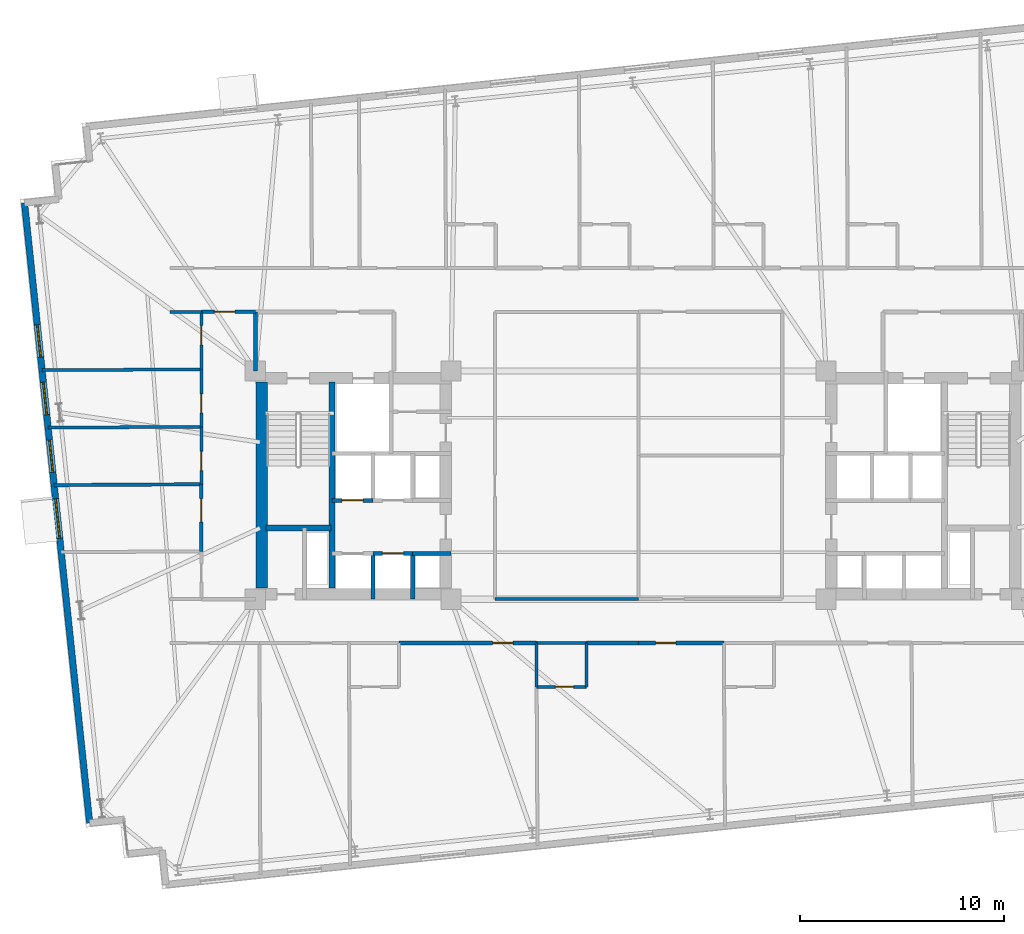
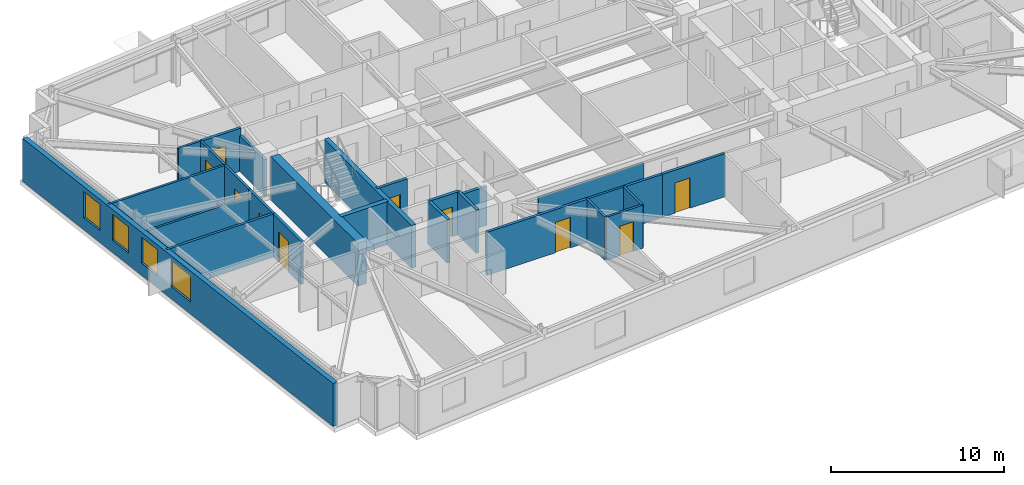
# One storey, part 12 of 19: 27 walls, 10 doors, 4 windows, 14 openings.
"""IFC4 building model written with IfcOpenShell, lengths in metres."""

from ifc_helpers import new_model, si_unit, direction, frame, frame_2d, origin, place, context, subcontext, project, spatial, rectangle, extrude, material, layer, layer_set, type_object, element, fill, save


model = new_model("IFC4")

# Units and contexts
model_context = context("Model", 3, precision=1e-05, world=origin(), true_north=direction((0.0, 1.0)))
body_context = subcontext(model_context, "Body", "Model", "MODEL_VIEW")
ifc_project = project(units=[si_unit("LENGTHUNIT", "METRE"), si_unit("AREAUNIT", "SQUARE_METRE"), si_unit("VOLUMEUNIT", "CUBIC_METRE"), si_unit("PLANEANGLEUNIT", "RADIAN"), si_unit("MASSUNIT", "GRAM", prefix="KILO")], contexts=[model_context])

# Site, building, storey
site_placement = place(None, origin())
site = spatial("IfcSite", under=ifc_project, at=site_placement, CompositionType="ELEMENT")
building_placement = place(site_placement, origin())
building = spatial("IfcBuilding", under=site, at=building_placement, Name="Qobustan Lattice House", CompositionType="ELEMENT")
storey_placement = place(building_placement, frame((0.0, 0.0, 85.699951171875)))
storey = spatial("IfcBuildingStorey", under=building, at=storey_placement, Name="L23", CompositionType="ELEMENT", Elevation=85.699951171875)

# Walls
ifc_material_1 = material(Name="Concrete C60/75", Category="concrete")
ifc_layer_1 = layer(ifc_material_1, 0.56005859375)
ifc_layer_set_1 = layer_set([ifc_layer_1], Name="Concrete C60/75")
wall_type_1 = type_object("IfcWallType", Name="WAL-CORE-600", PredefinedType="SHEAR", material=ifc_layer_set_1)
wall_1_placement = place(storey_placement, frame((-18.489990234375, -5.050048828125, 0.0), z_axis=(0.0, 0.0, 1.0), x_axis=(0.0, 1.0, 0.0)))
element("IfcWall", 1, at=wall_1_placement, inside=storey, type_object=wall_type_1, Name="L23 split-core shear wall CW-W", PredefinedType="SHEAR", context=body_context, shape_type="SweptSolid", body=[
    extrude(rectangle(XDim=10.10009765625, YDim=0.56005859375, at=frame_2d((5.050048828125, 0.0))), origin(), (0.0, 0.0, 1.0), 3.045166015625),
])
ifc_material_2 = material(Name="Concrete C50/60", Category="concrete")
ifc_layer_2 = layer(ifc_material_2, 0.280029296875)
ifc_layer_set_2 = layer_set([ifc_layer_2], Name="Concrete C50/60")
wall_type_2 = type_object("IfcWallType", Name="WAL-CORE-SPINE-280", PredefinedType="SHEAR", material=ifc_layer_set_2)
wall_2_placement = place(storey_placement, frame((-15.050048828125, -5.050048828125, 0.0), z_axis=(0.0, 0.0, 1.0), x_axis=(0.0, 1.0, 0.0)))
element("IfcWall", 2, at=wall_2_placement, inside=storey, type_object=wall_type_2, Name="L23 split-core shear wall CW-M", PredefinedType="SHEAR", context=body_context, shape_type="SweptSolid", body=[
    extrude(rectangle(XDim=10.10009765625, YDim=0.300048828125, at=frame_2d((5.050048828125, 0.0))), origin(), (0.0, 0.0, 1.0), 3.045166015625),
])
wall_3_placement = place(storey_placement, frame((-18.280029296875, -2.110107421875, 0.0), z_axis=(0.0, 0.0, 1.0), x_axis=(1.0, 0.0, 0.0)))
element("IfcWall", 3, at=wall_3_placement, inside=storey, type_object=wall_type_2, Name="L23 split-core shear wall CW-ST", PredefinedType="SHEAR", context=body_context, shape_type="SweptSolid", body=[
    extrude(rectangle(XDim=3.179931640625, YDim=0.300048828125, at=frame_2d((1.58984375, 0.0))), origin(), (0.0, 0.0, 1.0), 3.045166015625),
])

# Wall, openings, windows
ifc_material_3 = material(Name="Precast concrete C40/50", Category="concrete")
ifc_layer_3 = layer(ifc_material_3, 0.320068359375)
ifc_layer_set_3 = layer_set([ifc_layer_3], Name="Precast concrete C40/50")
wall_type_3 = type_object("IfcWallType", Name="WAL-EXT-STONE-320", PredefinedType="SOLIDWALL", material=ifc_layer_set_3)
wall_4_placement = place(storey_placement, frame((-26.934814453125, -16.58349609375, 0.0), z_axis=(0.0, 0.0, 1.0), x_axis=(-0.104524887486, 0.994522271192, 0.0)))
wall_4 = element("IfcWall", 4, at=wall_4_placement, inside=storey, type_object=wall_type_3, Name="L23 exterior limestone-clad wall 5", PredefinedType="SOLIDWALL", context=body_context, shape_type="SweptSolid", body=[
    extrude(rectangle(XDim=30.600341796875, YDim=0.320068359375, at=frame_2d((15.30029296875, 0.0))), origin(), (0.0, 0.0, 1.0), 3.045166015625),
])
opening_1_placement = place(wall_4_placement, frame((14.044677734375, 0.0, 0.85009765625)))
opening_1 = element("IfcOpeningElement", 5, at=opening_1_placement, cuts=wall_4, Name="Opening WN-08", PredefinedType="OPENING", context=body_context, shape_type="SweptSolid", body=[
    extrude(rectangle(XDim=1.949951171875, YDim=1.85009765625, at=frame_2d((0.97509765625, 0.925048828125))), frame((0.0, 0.169921875, 0.0), z_axis=(0.0, -1.0, 0.0), x_axis=(1.0, 0.0, 0.0)), (0.0, 0.0, 1.0), 0.340087890625),
])
opening_2_placement = place(wall_4_placement, frame((17.3037109375, 0.0, 0.85009765625)))
opening_2 = element("IfcOpeningElement", 6, at=opening_2_placement, cuts=wall_4, Name="Opening WN-13", PredefinedType="OPENING", context=body_context, shape_type="SweptSolid", body=[
    extrude(rectangle(XDim=1.60009765625, YDim=1.85009765625, at=frame_2d((0.800048828125, 0.925048828125))), frame((0.0, 0.169921875, 0.0), z_axis=(0.0, -1.0, 0.0), x_axis=(1.0, 0.0, 0.0)), (0.0, 0.0, 1.0), 0.340087890625),
])
opening_3_placement = place(wall_4_placement, frame((20.1474609375, 0.0, 0.85009765625)))
opening_3 = element("IfcOpeningElement", 7, at=opening_3_placement, cuts=wall_4, Name="Opening WN-13", PredefinedType="OPENING", context=body_context, shape_type="SweptSolid", body=[
    extrude(rectangle(XDim=1.60009765625, YDim=1.85009765625, at=frame_2d((0.800048828125, 0.925048828125))), frame((0.0, 0.169921875, 0.0), z_axis=(0.0, -1.0, 0.0), x_axis=(1.0, 0.0, 0.0)), (0.0, 0.0, 1.0), 0.340087890625),
])
opening_4_placement = place(wall_4_placement, frame((22.9912109375, 0.0, 0.85009765625)))
opening_4 = element("IfcOpeningElement", 8, at=opening_4_placement, cuts=wall_4, Name="Opening WN-13", PredefinedType="OPENING", context=body_context, shape_type="SweptSolid", body=[
    extrude(rectangle(XDim=1.60009765625, YDim=1.85009765625, at=frame_2d((0.800048828125, 0.925048828125))), frame((0.0, 0.169921875, 0.0), z_axis=(0.0, -1.0, 0.0), x_axis=(1.0, 0.0, 0.0)), (0.0, 0.0, 1.0), 0.340087890625),
])
ifc_material_4 = material(Name="Double-glazed low-E aluminium window", Category="aluminium")
window_type_1 = type_object("IfcWindowType", Name="WIN-BED-1600x1850", PartitioningType="SINGLE_PANEL", PredefinedType="WINDOW", material=ifc_material_4)
window_1_placement = place(opening_2_placement, origin())
window_1 = element("IfcWindow", 9, at=window_1_placement, inside=storey, type_object=window_type_1, Name="L23 Cluster bedroom L23W1 window", OverallHeight=1.85009765625, OverallWidth=1.60009765625, PartitioningType="SINGLE_PANEL", PredefinedType="WINDOW", context=body_context, shape_type="SweptSolid", body=[
    extrude(rectangle(XDim=1.60009765625, YDim=1.85009765625, at=frame_2d((0.800048828125, 0.925048828125))), frame((0.0, 0.030029296875, 0.0), z_axis=(0.0, -1.0, 0.0), x_axis=(1.0, 0.0, 0.0)), (0.0, 0.0, 1.0), 0.06005859375),
])
fill(opening_2, window_1)
window_2_placement = place(opening_3_placement, origin())
window_2 = element("IfcWindow", 10, at=window_2_placement, inside=storey, type_object=window_type_1, Name="L23 Cluster bedroom L23W2 window", OverallHeight=1.85009765625, OverallWidth=1.60009765625, PartitioningType="SINGLE_PANEL", PredefinedType="WINDOW", context=body_context, shape_type="SweptSolid", body=[
    extrude(rectangle(XDim=1.60009765625, YDim=1.85009765625, at=frame_2d((0.800048828125, 0.925048828125))), frame((0.0, 0.030029296875, 0.0), z_axis=(0.0, -1.0, 0.0), x_axis=(1.0, 0.0, 0.0)), (0.0, 0.0, 1.0), 0.06005859375),
])
fill(opening_3, window_2)
window_3_placement = place(opening_4_placement, origin())
window_3 = element("IfcWindow", 11, at=window_3_placement, inside=storey, type_object=window_type_1, Name="L23 Cluster bedroom L23W3 window", OverallHeight=1.85009765625, OverallWidth=1.60009765625, PartitioningType="SINGLE_PANEL", PredefinedType="WINDOW", context=body_context, shape_type="SweptSolid", body=[
    extrude(rectangle(XDim=1.60009765625, YDim=1.85009765625, at=frame_2d((0.800048828125, 0.925048828125))), frame((0.0, 0.030029296875, 0.0), z_axis=(0.0, -1.0, 0.0), x_axis=(1.0, 0.0, 0.0)), (0.0, 0.0, 1.0), 0.06005859375),
])
fill(opening_4, window_3)
ifc_material_5 = material(Name="Double-glazed low-E aluminium window", Category="aluminium")
window_type_2 = type_object("IfcWindowType", Name="WIN-KIT-1950x1850", PartitioningType="SINGLE_PANEL", PredefinedType="WINDOW", material=ifc_material_5)
window_4_placement = place(opening_1_placement, origin())
window_4 = element("IfcWindow", 12, at=window_4_placement, inside=storey, type_object=window_type_2, Name="L23 Shared kitchen L23W window", OverallHeight=1.85009765625, OverallWidth=1.949951171875, PartitioningType="SINGLE_PANEL", PredefinedType="WINDOW", context=body_context, shape_type="SweptSolid", body=[
    extrude(rectangle(XDim=1.949951171875, YDim=1.85009765625, at=frame_2d((0.97509765625, 0.925048828125))), frame((0.0, 0.030029296875, 0.0), z_axis=(0.0, -1.0, 0.0), x_axis=(1.0, 0.0, 0.0)), (0.0, 0.0, 1.0), 0.06005859375),
])
fill(opening_1, window_4)

# Wall, opening, door
ifc_material_6 = material(Name="Gypsum fireboard acoustic partition", Category="gypsum")
ifc_layer_4 = layer(ifc_material_6, 0.179931640625)
ifc_layer_set_4 = layer_set([ifc_layer_4], Name="Gypsum fireboard acoustic partition")
wall_type_4 = type_object("IfcWallType", Name="WAL-FIRE-180", PredefinedType="PARTITIONING", material=ifc_layer_set_4)
wall_5_placement = place(storey_placement, frame((-18.800048828125, 8.5, 0.0), z_axis=(0.0, 0.0, 1.0), x_axis=(-1.0, 0.0, 0.0)))
wall_5 = element("IfcWall", 13, at=wall_5_placement, inside=storey, type_object=wall_type_4, Name="L23 interior partition 37", PredefinedType="PARTITIONING", context=body_context, shape_type="SweptSolid", body=[
    extrude(rectangle(XDim=2.64990234375, YDim=0.179931640625, at=frame_2d((1.324951171875, 0.0))), origin(), (0.0, 0.0, 1.0), 3.045166015625),
])
opening_5_placement = place(wall_5_placement, frame((1.0087890625, 0.0, 0.0)))
opening_5 = element("IfcOpeningElement", 14, at=opening_5_placement, cuts=wall_5, Name="Opening FD-02", PredefinedType="OPENING", context=body_context, shape_type="SweptSolid", body=[
    extrude(rectangle(XDim=1.0, YDim=2.14990234375, at=frame_2d((0.5, 1.074951171875))), frame((0.0, 0.099853515625, 0.0), z_axis=(0.0, -1.0, 0.0), x_axis=(1.0, 0.0, 0.0)), (0.0, 0.0, 1.0), 0.199951171875),
])
ifc_material_7 = material(Name="Persian walnut timber and steel frame door", Category="steel")
door_type_1 = type_object("IfcDoorType", Name="DOR-UNIT-FD-1000x2150", OperationType="NOTDEFINED", PredefinedType="DOOR", material=ifc_material_7)
door_1_placement = place(opening_5_placement, origin())
door_1 = element("IfcDoor", 15, at=door_1_placement, inside=storey, type_object=door_type_1, Name="L23 North-west floor corridor to Residence entrance hall L23W door", OperationType="SINGLE_SWING_RIGHT", OverallHeight=2.14990234375, OverallWidth=1.0, PredefinedType="DOOR", context=body_context, shape_type="SweptSolid", body=[
    extrude(rectangle(XDim=1.0, YDim=2.14990234375, at=frame_2d((0.5, 1.074951171875))), frame((0.0, 0.02490234375, 0.0), z_axis=(0.0, -1.0, 0.0), x_axis=(1.0, 0.0, 0.0)), (0.0, 0.0, 1.0), 0.050048828125),
])
fill(opening_5, door_1)

wall_6_placement = place(storey_placement, frame((-5.0, -7.75, 0.0), z_axis=(0.0, 0.0, 1.0), x_axis=(-1.0, 0.0, 0.0)))
wall_6 = element("IfcWall", 16, at=wall_6_placement, inside=storey, type_object=wall_type_4, Name="L23 interior partition 60", PredefinedType="PARTITIONING", context=body_context, shape_type="SweptSolid", body=[
    extrude(rectangle(XDim=6.75, YDim=0.179931640625, at=frame_2d((3.375, 0.0))), origin(), (0.0, 0.0, 1.0), 3.045166015625),
])
opening_6_placement = place(wall_6_placement, frame((1.15380859375, 0.0, 0.0)))
opening_6 = element("IfcOpeningElement", 17, at=opening_6_placement, cuts=wall_6, Name="Opening FD-02", PredefinedType="OPENING", context=body_context, shape_type="SweptSolid", body=[
    extrude(rectangle(XDim=1.0, YDim=2.14990234375, at=frame_2d((0.5, 1.074951171875))), frame((0.0, 0.099853515625, 0.0), z_axis=(0.0, -1.0, 0.0), x_axis=(1.0, 0.0, 0.0)), (0.0, 0.0, 1.0), 0.199951171875),
])
door_2_placement = place(opening_6_placement, origin())
door_2 = element("IfcDoor", 18, at=door_2_placement, inside=storey, type_object=door_type_1, Name="L23 South-west floor corridor to Kitchenette and studio apartment L23-S2 door", OperationType="SINGLE_SWING_LEFT", OverallHeight=2.14990234375, OverallWidth=1.0, PredefinedType="DOOR", context=body_context, shape_type="SweptSolid", body=[
    extrude(rectangle(XDim=1.0, YDim=2.14990234375, at=frame_2d((0.5, 1.074951171875))), frame((0.0, 0.02490234375, 0.0), z_axis=(0.0, -1.0, 0.0), x_axis=(1.0, 0.0, 0.0)), (0.0, 0.0, 1.0), 0.050048828125),
])
fill(opening_6, door_2)

# Wall
wall_7_placement = place(storey_placement, frame((0.0, -7.75, 0.0), z_axis=(0.0, 0.0, 1.0), x_axis=(-1.0, 0.0, 0.0)))
element("IfcWall", 19, at=wall_7_placement, inside=storey, type_object=wall_type_4, Name="L23 interior partition 62", PredefinedType="PARTITIONING", context=body_context, shape_type="SweptSolid", body=[
    extrude(rectangle(XDim=2.550048828125, YDim=0.179931640625, at=frame_2d((1.27490234375, 0.0))), origin(), (0.0, 0.0, 1.0), 3.045166015625),
])

# Wall, opening, door
wall_8_placement = place(storey_placement, frame((4.199951171875, -7.75, 0.0), z_axis=(0.0, 0.0, 1.0), x_axis=(-1.0, 0.0, 0.0)))
wall_8 = element("IfcWall", 20, at=wall_8_placement, inside=storey, type_object=wall_type_4, Name="L23 interior partition 67", PredefinedType="PARTITIONING", context=body_context, shape_type="SweptSolid", body=[
    extrude(rectangle(XDim=4.199951171875, YDim=0.179931640625, at=frame_2d((2.10009765625, 0.0))), origin(), (0.0, 0.0, 1.0), 3.045166015625),
])
opening_7_placement = place(wall_8_placement, frame((2.364990234375, 0.0, 0.0)))
opening_7 = element("IfcOpeningElement", 21, at=opening_7_placement, cuts=wall_8, Name="Opening FD-02", PredefinedType="OPENING", context=body_context, shape_type="SweptSolid", body=[
    extrude(rectangle(XDim=1.0, YDim=2.14990234375, at=frame_2d((0.5, 1.074951171875))), frame((0.0, 0.099853515625, 0.0), z_axis=(0.0, -1.0, 0.0), x_axis=(1.0, 0.0, 0.0)), (0.0, 0.0, 1.0), 0.199951171875),
])
door_3_placement = place(opening_7_placement, origin())
door_3 = element("IfcDoor", 22, at=door_3_placement, inside=storey, type_object=door_type_1, Name="L23 South-east floor corridor to Kitchenette and studio apartment L23-S3 door", OperationType="SINGLE_SWING_RIGHT", OverallHeight=2.14990234375, OverallWidth=1.0, PredefinedType="DOOR", context=body_context, shape_type="SweptSolid", body=[
    extrude(rectangle(XDim=1.0, YDim=2.14990234375, at=frame_2d((0.5, 1.074951171875))), frame((0.0, 0.02490234375, 0.0), z_axis=(0.0, -1.0, 0.0), x_axis=(1.0, 0.0, 0.0)), (0.0, 0.0, 1.0), 0.050048828125),
])
fill(opening_7, door_3)

# Walls
ifc_material_8 = material(Name="Acoustic twin-stud gypsum partition", Category="gypsum")
ifc_layer_5 = layer(ifc_material_8, 0.14990234375)
ifc_layer_set_5 = layer_set([ifc_layer_5], Name="Acoustic twin-stud gypsum partition")
wall_type_5 = type_object("IfcWallType", Name="WAL-PART-150", PredefinedType="PARTITIONING", material=ifc_layer_set_5)
wall_9_placement = place(storey_placement, frame((-21.449951171875, 8.5, 0.0), z_axis=(0.0, 0.0, 1.0), x_axis=(-1.0, 0.0, 0.0)))
element("IfcWall", 23, at=wall_9_placement, inside=storey, type_object=wall_type_5, Name="L23 interior partition 38", PredefinedType="PARTITIONING", context=body_context, shape_type="SweptSolid", body=[
    extrude(rectangle(XDim=1.550048828125, YDim=0.14990234375, at=frame_2d((0.77490234375, 0.0))), origin(), (0.0, 0.0, 1.0), 3.045166015625),
])
wall_10_placement = place(storey_placement, frame((-7.050048828125, -5.60009765625, 0.0), z_axis=(0.0, 0.0, 1.0), x_axis=(1.0, 0.0, 0.0)))
element("IfcWall", 24, at=wall_10_placement, inside=storey, type_object=wall_type_5, Name="L23 interior partition 64", PredefinedType="PARTITIONING", context=body_context, shape_type="SweptSolid", body=[
    extrude(rectangle(XDim=7.050048828125, YDim=0.14990234375, at=frame_2d((3.52490234375, 0.0))), origin(), (0.0, 0.0, 1.0), 2.530029296875),
])

# Wall, opening, door
wall_11_placement = place(storey_placement, frame((-21.449951171875, 0.0400390625, 0.0), z_axis=(0.0, 0.0, 1.0), x_axis=(0.0, 1.0, 0.0)))
wall_11 = element("IfcWall", 25, at=wall_11_placement, inside=storey, type_object=wall_type_5, Name="L23 interior partition 77", PredefinedType="PARTITIONING", context=body_context, shape_type="SweptSolid", body=[
    extrude(rectangle(XDim=2.820068359375, YDim=0.14990234375, at=frame_2d((1.41015625, 0.0))), origin(), (0.0, 0.0, 1.0), 3.045166015625),
])
opening_8_placement = place(wall_11_placement, frame((0.668701171875, 0.0, 0.0)))
opening_8 = element("IfcOpeningElement", 26, at=opening_8_placement, cuts=wall_11, Name="Opening ID-01", PredefinedType="OPENING", context=body_context, shape_type="SweptSolid", body=[
    extrude(rectangle(XDim=0.949951171875, YDim=2.10009765625, at=frame_2d((0.47509765625, 1.050048828125))), frame((0.0, 0.0849609375, 0.0), z_axis=(0.0, -1.0, 0.0), x_axis=(1.0, 0.0, 0.0)), (0.0, 0.0, 1.0), 0.169921875),
])
ifc_material_9 = material(Name="Persian walnut timber and steel frame door", Category="steel")
door_type_2 = type_object("IfcDoorType", Name="DOR-ROOM-950x2100", OperationType="NOTDEFINED", PredefinedType="DOOR", material=ifc_material_9)
door_4_placement = place(opening_8_placement, origin())
door_4 = element("IfcDoor", 27, at=door_4_placement, inside=storey, type_object=door_type_2, Name="L23 Residence entrance hall L23W to Cluster bedroom L23W1 door", OperationType="SINGLE_SWING_LEFT", OverallHeight=2.10009765625, OverallWidth=0.949951171875, PredefinedType="DOOR", context=body_context, shape_type="SweptSolid", body=[
    extrude(rectangle(XDim=0.949951171875, YDim=2.10009765625, at=frame_2d((0.47509765625, 1.050048828125))), frame((0.0, 0.02490234375, 0.0), z_axis=(0.0, -1.0, 0.0), x_axis=(1.0, 0.0, 0.0)), (0.0, 0.0, 1.0), 0.050048828125),
])
fill(opening_8, door_4)

wall_12_placement = place(storey_placement, frame((-21.449951171875, 2.860107421875, 0.0), z_axis=(0.0, 0.0, 1.0), x_axis=(0.0, 1.0, 0.0)))
wall_12 = element("IfcWall", 28, at=wall_12_placement, inside=storey, type_object=wall_type_5, Name="L23 interior partition 78", PredefinedType="PARTITIONING", context=body_context, shape_type="SweptSolid", body=[
    extrude(rectangle(XDim=2.81982421875, YDim=0.14990234375, at=frame_2d((1.409912109375, 0.0))), origin(), (0.0, 0.0, 1.0), 3.045166015625),
])
opening_9_placement = place(wall_12_placement, frame((0.668701171875, 0.0, 0.0)))
opening_9 = element("IfcOpeningElement", 29, at=opening_9_placement, cuts=wall_12, Name="Opening ID-01", PredefinedType="OPENING", context=body_context, shape_type="SweptSolid", body=[
    extrude(rectangle(XDim=0.949951171875, YDim=2.10009765625, at=frame_2d((0.47509765625, 1.050048828125))), frame((0.0, 0.0849609375, 0.0), z_axis=(0.0, -1.0, 0.0), x_axis=(1.0, 0.0, 0.0)), (0.0, 0.0, 1.0), 0.169921875),
])
door_5_placement = place(opening_9_placement, origin())
door_5 = element("IfcDoor", 30, at=door_5_placement, inside=storey, type_object=door_type_2, Name="L23 Residence entrance hall L23W to Cluster bedroom L23W2 door", OperationType="SINGLE_SWING_RIGHT", OverallHeight=2.10009765625, OverallWidth=0.949951171875, PredefinedType="DOOR", context=body_context, shape_type="SweptSolid", body=[
    extrude(rectangle(XDim=0.949951171875, YDim=2.10009765625, at=frame_2d((0.47509765625, 1.050048828125))), frame((0.0, 0.02490234375, 0.0), z_axis=(0.0, -1.0, 0.0), x_axis=(1.0, 0.0, 0.0)), (0.0, 0.0, 1.0), 0.050048828125),
])
fill(opening_9, door_5)

wall_13_placement = place(storey_placement, frame((-21.449951171875, 5.679931640625, 0.0), z_axis=(0.0, 0.0, 1.0), x_axis=(0.0, 1.0, 0.0)))
wall_13 = element("IfcWall", 31, at=wall_13_placement, inside=storey, type_object=wall_type_5, Name="L23 interior partition 79", PredefinedType="PARTITIONING", context=body_context, shape_type="SweptSolid", body=[
    extrude(rectangle(XDim=2.820068359375, YDim=0.14990234375, at=frame_2d((1.41015625, 0.0))), origin(), (0.0, 0.0, 1.0), 3.045166015625),
])
opening_10_placement = place(wall_13_placement, frame((1.201171875, 0.0, 0.0)))
opening_10 = element("IfcOpeningElement", 32, at=opening_10_placement, cuts=wall_13, Name="Opening ID-01", PredefinedType="OPENING", context=body_context, shape_type="SweptSolid", body=[
    extrude(rectangle(XDim=0.949951171875, YDim=2.10009765625, at=frame_2d((0.47509765625, 1.050048828125))), frame((0.0, 0.0849609375, 0.0), z_axis=(0.0, -1.0, 0.0), x_axis=(1.0, 0.0, 0.0)), (0.0, 0.0, 1.0), 0.169921875),
])
door_6_placement = place(opening_10_placement, origin())
door_6 = element("IfcDoor", 33, at=door_6_placement, inside=storey, type_object=door_type_2, Name="L23 Residence entrance hall L23W to Cluster bedroom L23W3 door", OperationType="SINGLE_SWING_LEFT", OverallHeight=2.10009765625, OverallWidth=0.949951171875, PredefinedType="DOOR", context=body_context, shape_type="SweptSolid", body=[
    extrude(rectangle(XDim=0.949951171875, YDim=2.10009765625, at=frame_2d((0.47509765625, 1.050048828125))), frame((0.0, 0.02490234375, 0.0), z_axis=(0.0, -1.0, 0.0), x_axis=(1.0, 0.0, 0.0)), (0.0, 0.0, 1.0), 0.050048828125),
])
fill(opening_10, door_6)

# Walls
wall_14_placement = place(storey_placement, frame((-28.9736328125, 2.816162109375, 0.0), z_axis=(0.0, 0.0, 1.0), x_axis=(0.999982942193, 0.00584083232, 0.0)))
element("IfcWall", 34, at=wall_14_placement, inside=storey, type_object=wall_type_5, Name="L23 interior partition 82", PredefinedType="PARTITIONING", context=body_context, shape_type="SweptSolid", body=[
    extrude(rectangle(XDim=7.52392578125, YDim=0.14990234375, at=frame_2d((3.761962890625, 0.0))), origin(), (0.0, 0.0, 1.0), 2.530029296875),
])
wall_15_placement = place(storey_placement, frame((-29.27001953125, 5.635986328125, 0.0), z_axis=(0.0, 0.0, 1.0), x_axis=(0.999984210669, 0.005619467326, 0.0)))
element("IfcWall", 35, at=wall_15_placement, inside=storey, type_object=wall_type_5, Name="L23 interior partition 83", PredefinedType="PARTITIONING", context=body_context, shape_type="SweptSolid", body=[
    extrude(rectangle(XDim=7.8203125, YDim=0.14990234375, at=frame_2d((3.91015625, 0.0))), origin(), (0.0, 0.0, 1.0), 3.045166015625),
])

# Wall, opening, door
ifc_material_10 = material(Name="High-mass acoustic twin-stud partition", Category="gypsum")
ifc_layer_6 = layer(ifc_material_10, 0.1650390625)
ifc_layer_set_6 = layer_set([ifc_layer_6], Name="High-mass acoustic twin-stud partition")
wall_type_6 = type_object("IfcWallType", Name="WAL-PART-165", PredefinedType="PARTITIONING", material=ifc_layer_set_6)
wall_16_placement = place(storey_placement, frame((-21.449951171875, -3.25, 0.0), z_axis=(0.0, 0.0, 1.0), x_axis=(0.0, 1.0, 0.0)))
wall_16 = element("IfcWall", 36, at=wall_16_placement, inside=storey, type_object=wall_type_6, Name="L23 interior partition 76", PredefinedType="PARTITIONING", context=body_context, shape_type="SweptSolid", body=[
    extrude(rectangle(XDim=3.2900390625, YDim=0.1650390625, at=frame_2d((1.64501953125, 0.0))), origin(), (0.0, 0.0, 1.0), 3.045166015625),
])
opening_11_placement = place(wall_16_placement, frame((1.4375, 0.0, 0.0)))
opening_11 = element("IfcOpeningElement", 37, at=opening_11_placement, cuts=wall_16, Name="Opening ID-03", PredefinedType="OPENING", context=body_context, shape_type="SweptSolid", body=[
    extrude(rectangle(XDim=1.14990234375, YDim=2.14990234375, at=frame_2d((0.574951171875, 1.074951171875))), frame((0.0, 0.092529296875, 0.0), z_axis=(0.0, -1.0, 0.0), x_axis=(1.0, 0.0, 0.0)), (0.0, 0.0, 1.0), 0.18505859375),
])
ifc_material_11 = material(Name="Persian walnut timber and steel frame door", Category="steel")
door_type_3 = type_object("IfcDoorType", Name="DOR-KITCH-1150x2150", OperationType="NOTDEFINED", PredefinedType="DOOR", material=ifc_material_11)
door_7_placement = place(opening_11_placement, origin())
door_7 = element("IfcDoor", 38, at=door_7_placement, inside=storey, type_object=door_type_3, Name="L23 Residence entrance hall L23W to Shared kitchen L23W door", OperationType="SINGLE_SWING_RIGHT", OverallHeight=2.14990234375, OverallWidth=1.14990234375, PredefinedType="DOOR", context=body_context, shape_type="SweptSolid", body=[
    extrude(rectangle(XDim=1.14990234375, YDim=2.14990234375, at=frame_2d((0.574951171875, 1.074951171875))), frame((0.0, 0.02490234375, 0.0), z_axis=(0.0, -1.0, 0.0), x_axis=(1.0, 0.0, 0.0)), (0.0, 0.0, 1.0), 0.050048828125),
])
fill(opening_11, door_7)

# Walls
wall_17_placement = place(storey_placement, frame((-28.67724609375, -0.00390625, 0.0), z_axis=(0.0, 0.0, 1.0), x_axis=(0.999981514486, 0.006080352417, 0.0)))
element("IfcWall", 39, at=wall_17_placement, inside=storey, type_object=wall_type_6, Name="L23 interior partition 81", PredefinedType="PARTITIONING", context=body_context, shape_type="SweptSolid", body=[
    extrude(rectangle(XDim=7.2275390625, YDim=0.1650390625, at=frame_2d((3.61376953125, 0.0))), origin(), (0.0, 0.0, 1.0), 3.045166015625),
])
ifc_material_12 = material(Name="Two-hour gypsum fireboard acoustic partition", Category="gypsum")
ifc_layer_7 = layer(ifc_material_12, 0.199951171875)
ifc_layer_set_7 = layer_set([ifc_layer_7], Name="Two-hour gypsum fireboard acoustic partition")
wall_type_7 = type_object("IfcWallType", Name="WAL-PROT-200", PredefinedType="PARTITIONING", material=ifc_layer_set_7)
wall_18_placement = place(storey_placement, frame((-18.800048828125, 8.5, 0.0), z_axis=(0.0, 0.0, 1.0), x_axis=(0.0, -1.0, 0.0)))
element("IfcWall", 40, at=wall_18_placement, inside=storey, type_object=wall_type_7, Name="L23 interior partition 6", PredefinedType="PARTITIONING", context=body_context, shape_type="SweptSolid", body=[
    extrude(rectangle(XDim=2.89990234375, YDim=0.199951171875, at=frame_2d((1.449951171875, 0.0))), origin(), (0.0, 0.0, 1.0), 2.530029296875),
])

# Wall, opening, door
ifc_material_13 = material(Name="Concrete C40/50", Category="concrete")
ifc_layer_8 = layer(ifc_material_13, 0.199951171875)
ifc_layer_set_8 = layer_set([ifc_layer_8], Name="Concrete C40/50")
wall_type_8 = type_object("IfcWallType", Name="WAL-SHAFT-200", PredefinedType="PARTITIONING", material=ifc_layer_set_8)
wall_19_placement = place(storey_placement, frame((-13.02001953125, -3.35009765625, 0.0), z_axis=(0.0, 0.0, 1.0), x_axis=(1.0, 0.0, 0.0)))
wall_19 = element("IfcWall", 41, at=wall_19_placement, inside=storey, type_object=wall_type_8, Name="L23 interior partition 10", PredefinedType="PARTITIONING", context=body_context, shape_type="SweptSolid", body=[
    extrude(rectangle(XDim=1.93994140625, YDim=0.199951171875, at=frame_2d((0.969970703125, 0.0))), origin(), (0.0, 0.0, 1.0), 3.045166015625),
])
opening_12_placement = place(wall_19_placement, frame((0.445068359375, 0.0, 0.0)))
opening_12 = element("IfcOpeningElement", 42, at=opening_12_placement, cuts=wall_19, Name="Opening LD-01", PredefinedType="OPENING", context=body_context, shape_type="SweptSolid", body=[
    extrude(rectangle(XDim=1.050048828125, YDim=2.10009765625, at=frame_2d((0.52490234375, 1.050048828125))), frame((0.0, 0.10986328125, 0.0), z_axis=(0.0, -1.0, 0.0), x_axis=(1.0, 0.0, 0.0)), (0.0, 0.0, 1.0), 0.219970703125),
])
ifc_material_14 = material(Name="Persian walnut timber and steel frame door", Category="steel")
door_type_4 = type_object("IfcDoorType", Name="DOR-LIFT-LD-1050x2100", OperationType="NOTDEFINED", PredefinedType="DOOR", material=ifc_material_14)
door_8_placement = place(opening_12_placement, origin())
door_8 = element("IfcDoor", 43, at=door_8_placement, inside=storey, type_object=door_type_4, Name="L23 lift landing door", OperationType="DOUBLE_DOOR_SLIDING", OverallHeight=2.10009765625, OverallWidth=1.050048828125, PredefinedType="DOOR", context=body_context, shape_type="SweptSolid", body=[
    extrude(rectangle(XDim=1.050048828125, YDim=2.10009765625, at=frame_2d((0.52490234375, 1.050048828125))), frame((0.0, 0.02490234375, 0.0), z_axis=(0.0, -1.0, 0.0), x_axis=(1.0, 0.0, 0.0)), (0.0, 0.0, 1.0), 0.050048828125),
])
fill(opening_12, door_8)

# Wall
wall_20_placement = place(storey_placement, frame((-11.080078125, -3.35009765625, 0.0), z_axis=(0.0, 0.0, 1.0), x_axis=(1.0, 0.0, 0.0)))
element("IfcWall", 44, at=wall_20_placement, inside=storey, type_object=wall_type_8, Name="L23 interior partition 11", PredefinedType="PARTITIONING", context=body_context, shape_type="SweptSolid", body=[
    extrude(rectangle(XDim=1.880126953125, YDim=0.199951171875, at=frame_2d((0.93994140625, 0.0))), origin(), (0.0, 0.0, 1.0), 2.760009765625),
])

# Wall, opening, door
wall_21_placement = place(storey_placement, frame((-13.02001953125, -0.75, 0.0), z_axis=(0.0, 0.0, 1.0), x_axis=(-1.0, 0.0, 0.0)))
wall_21 = element("IfcWall", 45, at=wall_21_placement, inside=storey, type_object=wall_type_8, Name="L23 interior partition 12", PredefinedType="PARTITIONING", context=body_context, shape_type="SweptSolid", body=[
    extrude(rectangle(XDim=2.030029296875, YDim=0.199951171875, at=frame_2d((1.01513671875, 0.0))), origin(), (0.0, 0.0, 1.0), 3.045166015625),
])
opening_13_placement = place(wall_21_placement, frame((0.489990234375, 0.0, 0.0)))
opening_13 = element("IfcOpeningElement", 46, at=opening_13_placement, cuts=wall_21, Name="Opening LD-01", PredefinedType="OPENING", context=body_context, shape_type="SweptSolid", body=[
    extrude(rectangle(XDim=1.050048828125, YDim=2.10009765625, at=frame_2d((0.52490234375, 1.050048828125))), frame((0.0, 0.10986328125, 0.0), z_axis=(0.0, -1.0, 0.0), x_axis=(1.0, 0.0, 0.0)), (0.0, 0.0, 1.0), 0.219970703125),
])
door_9_placement = place(opening_13_placement, origin())
door_9 = element("IfcDoor", 47, at=door_9_placement, inside=storey, type_object=door_type_4, Name="L23 lift landing door", OperationType="DOUBLE_DOOR_SLIDING", OverallHeight=2.10009765625, OverallWidth=1.050048828125, PredefinedType="DOOR", context=body_context, shape_type="SweptSolid", body=[
    extrude(rectangle(XDim=1.050048828125, YDim=2.10009765625, at=frame_2d((0.52490234375, 1.050048828125))), frame((0.0, 0.02490234375, 0.0), z_axis=(0.0, -1.0, 0.0), x_axis=(1.0, 0.0, 0.0)), (0.0, 0.0, 1.0), 0.050048828125),
])
fill(opening_13, door_9)

# Walls
for number, where, z_axis, x_axis, name in (
    (48, (-13.02001953125, -5.60009765625, 0.0), (0.0, 0.0, 1.0), (0.0, 1.0, 0.0), "L23 interior partition 16"),
    (49, (-11.080078125, -5.60009765625, 0.0), (0.0, 0.0, 1.0), (0.0, 1.0, 0.0), "L23 interior partition 17"),
):
    element("IfcWall", number, at=place(storey_placement, frame(where, z_axis=z_axis, x_axis=x_axis)), inside=storey, type_object=wall_type_8, Name=name, PredefinedType="PARTITIONING", context=body_context, shape_type="SweptSolid", body=[
        extrude(rectangle(XDim=2.25, YDim=0.199951171875, at=frame_2d((1.125, 0.0))), origin(), (0.0, 0.0, 1.0), 3.045166015625),
    ])
ifc_material_15 = material(Name="Moisture-resistant acoustic plumbing wall", Category="gypsum")
ifc_layer_9 = layer(ifc_material_15, 0.14990234375)
ifc_layer_set_9 = layer_set([ifc_layer_9], Name="Moisture-resistant acoustic plumbing wall")
wall_type_9 = type_object("IfcWallType", Name="WAL-WET-150", PredefinedType="PLUMBINGWALL", material=ifc_layer_set_9)
wall_22_placement = place(storey_placement, frame((-2.550048828125, -7.75, 0.0), z_axis=(0.0, 0.0, 1.0), x_axis=(-1.0, 0.0, 0.0)))
element("IfcWall", 50, at=wall_22_placement, inside=storey, type_object=wall_type_9, Name="L23 interior partition 63", PredefinedType="PLUMBINGWALL", context=body_context, shape_type="SweptSolid", body=[
    extrude(rectangle(XDim=2.449951171875, YDim=0.14990234375, at=frame_2d((1.22509765625, 0.0))), origin(), (0.0, 0.0, 1.0), 3.045166015625),
])
wall_23_placement = place(storey_placement, frame((-5.0, -7.75, 0.0), z_axis=(0.0, 0.0, 1.0), x_axis=(0.0, -1.0, 0.0)))
element("IfcWall", 51, at=wall_23_placement, inside=storey, type_object=wall_type_9, Name="L23 interior partition 121", PredefinedType="PLUMBINGWALL", context=body_context, shape_type="SweptSolid", body=[
    extrude(rectangle(XDim=2.14990234375, YDim=0.14990234375, at=frame_2d((1.074951171875, 0.0))), origin(), (0.0, 0.0, 1.0), 3.045166015625),
])

# Wall, opening, door
wall_24_placement = place(storey_placement, frame((-5.0, -9.89990234375, 0.0), z_axis=(0.0, 0.0, 1.0), x_axis=(1.0, 0.0, 0.0)))
wall_24 = element("IfcWall", 52, at=wall_24_placement, inside=storey, type_object=wall_type_9, Name="L23 interior partition 122", PredefinedType="PLUMBINGWALL", context=body_context, shape_type="SweptSolid", body=[
    extrude(rectangle(XDim=2.449951171875, YDim=0.14990234375, at=frame_2d((1.22509765625, 0.0))), origin(), (0.0, 0.0, 1.0), 3.045166015625),
])
opening_14_placement = place(wall_24_placement, frame((0.92138671875, 0.0, 0.0)))
opening_14 = element("IfcOpeningElement", 53, at=opening_14_placement, cuts=wall_24, Name="Opening WD-01", PredefinedType="OPENING", context=body_context, shape_type="SweptSolid", body=[
    extrude(rectangle(XDim=0.89990234375, YDim=2.10009765625, at=frame_2d((0.449951171875, 1.050048828125))), frame((0.0, 0.0849609375, 0.0), z_axis=(0.0, -1.0, 0.0), x_axis=(1.0, 0.0, 0.0)), (0.0, 0.0, 1.0), 0.169921875),
])
ifc_material_16 = material(Name="Persian walnut timber and steel frame door", Category="steel")
door_type_5 = type_object("IfcDoorType", Name="DOR-WET-900x2100", OperationType="NOTDEFINED", PredefinedType="DOOR", material=ifc_material_16)
door_10_placement = place(opening_14_placement, origin())
door_10 = element("IfcDoor", 54, at=door_10_placement, inside=storey, type_object=door_type_5, Name="L23 Kitchenette and studio apartment L23-S3 to En-suite bathroom L23-S3 door", OperationType="SINGLE_SWING_LEFT", OverallHeight=2.10009765625, OverallWidth=0.89990234375, PredefinedType="DOOR", context=body_context, shape_type="SweptSolid", body=[
    extrude(rectangle(XDim=0.89990234375, YDim=2.10009765625, at=frame_2d((0.449951171875, 1.050048828125))), frame((0.0, 0.02490234375, 0.0), z_axis=(0.0, -1.0, 0.0), x_axis=(1.0, 0.0, 0.0)), (0.0, 0.0, 1.0), 0.050048828125),
])
fill(opening_14, door_10)

# Wall
wall_25_placement = place(storey_placement, frame((-2.550048828125, -9.89990234375, 0.0), z_axis=(0.0, 0.0, 1.0), x_axis=(0.0, 1.0, 0.0)))
element("IfcWall", 55, at=wall_25_placement, inside=storey, type_object=wall_type_9, Name="L23 interior partition 123", PredefinedType="PLUMBINGWALL", context=body_context, shape_type="SweptSolid", body=[
    extrude(rectangle(XDim=2.14990234375, YDim=0.14990234375, at=frame_2d((1.074951171875, 0.0))), origin(), (0.0, 0.0, 1.0), 3.045166015625),
])

save(model, "model.ifc")
